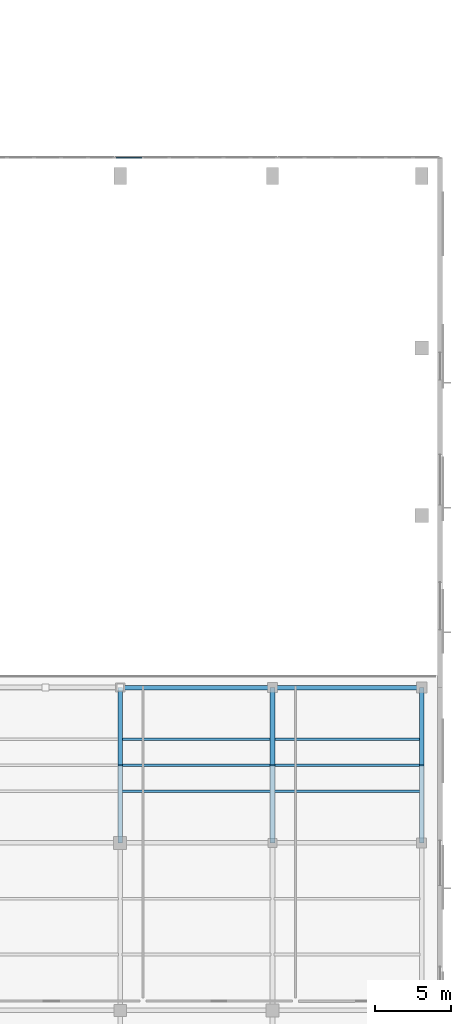
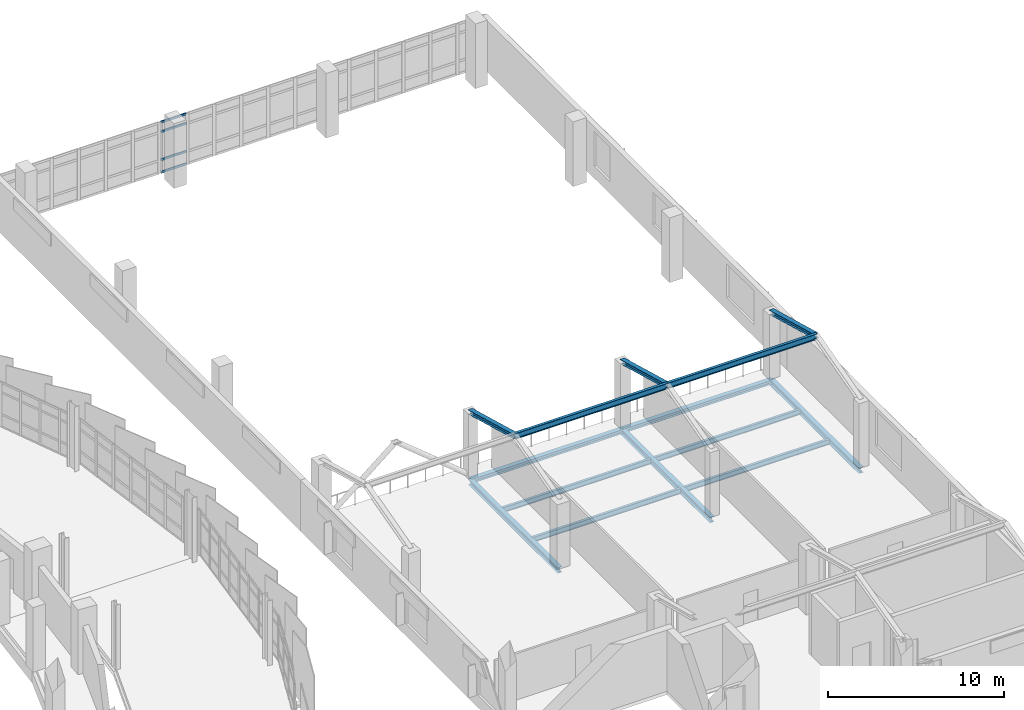
# One storey, part 74 of 120: 14 beams, 4 members, 1 element without a shape of its own.
"""IFC4 building model written with IfcOpenShell, lengths in metres."""

import ifcopenshell
import ifcopenshell.guid

model = None  # the IFC model being written
_history = None  # IfcOwnerHistory: only IFC2X3 demands one
_inside = {}  # id of a spatial element -> (the spatial element, [elements in it])
_under = {}  # id of a project, library or spatial element -> (it, [spatial elements below it])
_declared = {}  # id of a project -> (the project, [libraries it declares])
_typed = {}  # id of a type object -> (the type object, [elements of that type])
_made_of = {}  # id of a material, layer set ... -> (it, [elements and type objects made of it])


def new_model(schema):
    """Start an empty IFC model of exactly this schema.

    Asked for "IFC4X3", IfcOpenShell would pick the latest addendum, in which some entities
    have other attributes; the version numbers below select the first issue.
    IFC2X3 requires an IfcOwnerHistory on every rooted entity: one is made here for all.
    """
    global model, _history
    if schema == "IFC4X3":
        model = ifcopenshell.file(schema_version=(4, 3, 0, 0))
    else:
        model = ifcopenshell.file(schema=schema)
    _inside.clear()
    _under.clear()
    _declared.clear()
    _typed.clear()
    _made_of.clear()
    _history = None
    if model.schema == "IFC2X3":
        org = make("IfcOrganization", Name="unknown")
        user = make(
            "IfcPersonAndOrganization",
            ThePerson=make("IfcPerson", FamilyName="unknown"),
            TheOrganization=org,
        )
        app = make(
            "IfcApplication",
            ApplicationDeveloper=org,
            Version="unknown",
            ApplicationFullName="unknown",
            ApplicationIdentifier="unknown",
        )
        _history = make(
            "IfcOwnerHistory",
            OwningUser=user,
            OwningApplication=app,
            ChangeAction="ADDED",
            CreationDate=0,
        )
    return model


def make(cls, **values):
    """One entity of the class cls with the attributes given. An attribute that is None is left unset."""
    return model.create_entity(
        cls, **{name: value for name, value in values.items() if value is not None}
    )


def rooted(cls, **values):
    """An entity with a GlobalId (a new one), such as an element, a storey or a relation."""
    return make(cls, GlobalId=ifcopenshell.guid.new(), OwnerHistory=_history, **values)


def si_unit(unit_type, name, prefix=None):
    """IfcSIUnit, for example si_unit("LENGTHUNIT", "METRE", prefix="MILLI")."""
    return make("IfcSIUnit", UnitType=unit_type, Prefix=prefix, Name=name)


def assignment(units):
    """IfcUnitAssignment: the units of a project."""
    return None if units is None else make("IfcUnitAssignment", Units=units)


def point(xyz):
    """IfcCartesianPoint."""
    return None if xyz is None else make("IfcCartesianPoint", Coordinates=xyz)


def direction(xyz):
    """IfcDirection."""
    return None if xyz is None else make("IfcDirection", DirectionRatios=xyz)


def frame(location, z_axis=None, x_axis=None):
    """IfcAxis2Placement3D, a coordinate frame: its origin and axes. An axis left out is left unset."""
    return make(
        "IfcAxis2Placement3D",
        Location=point(location),
        Axis=direction(z_axis),
        RefDirection=direction(x_axis),
    )


def frame_2d(location, x_axis=None):
    """IfcAxis2Placement2D, a coordinate frame in the plane: its origin and x axis."""
    return make(
        "IfcAxis2Placement2D", Location=point(location), RefDirection=direction(x_axis)
    )


def origin():
    """The frame at (0, 0, 0) with its axes left unset."""
    return frame((0.0, 0.0, 0.0))


def origin_2d():
    """The frame at (0, 0) in the plane with its x axis left unset."""
    return frame_2d((0.0, 0.0))


def place(relative_to, where):
    """IfcLocalPlacement: puts the frame where relative to a parent placement (None: the world)."""
    return make(
        "IfcLocalPlacement", PlacementRelTo=relative_to, RelativePlacement=where
    )


def context(
    kind, dimensions, precision=None, world=None, true_north=None, identifier=None
):
    """IfcGeometricRepresentationContext, for example the 3D "Model" context."""
    return make(
        "IfcGeometricRepresentationContext",
        ContextIdentifier=identifier,
        ContextType=kind,
        CoordinateSpaceDimension=dimensions,
        Precision=precision,
        WorldCoordinateSystem=world,
        TrueNorth=true_north,
    )


def subcontext(parent, identifier, kind, view, scale=None):
    """IfcGeometricRepresentationSubContext, for example "Body" below "Model"."""
    return make(
        "IfcGeometricRepresentationSubContext",
        ContextIdentifier=identifier,
        ContextType=kind,
        ParentContext=parent,
        TargetScale=scale,
        TargetView=view,
    )


def project(units=None, contexts=None):
    """IfcProject with its units and contexts."""
    return rooted(
        "IfcProject",
        Name="project",
        RepresentationContexts=contexts,
        UnitsInContext=assignment(units),
    )


def spatial(cls, under=None, at=None, **own):
    """A site, building, storey or space (cls), placed at a placement, below another one or the project."""
    s = rooted(cls, ObjectPlacement=at, **own)
    if under is not None:
        _under.setdefault(under.id(), (under, []))[1].append(s)
    return s


def profile(cls, at=None, kind="AREA", **sizes):
    """A parametric profile (cls). Its sizes go by their IFC names, for example OverallWidth=200.0."""
    return make(cls, ProfileType=kind, Position=at, **sizes)


def rectangle(**sizes):
    """IfcRectangleProfileDef."""
    return profile("IfcRectangleProfileDef", **sizes)


def i_section(**sizes):
    """IfcIShapeProfileDef."""
    return profile("IfcIShapeProfileDef", **sizes)


def extrude(swept, where, along, depth):
    """IfcExtrudedAreaSolid: the profile swept, set in the frame where, extruded along a direction by depth."""
    return make(
        "IfcExtrudedAreaSolid",
        SweptArea=swept,
        Position=where,
        ExtrudedDirection=direction(along),
        Depth=depth,
    )


def shape(context_of_items, identifier, shape_type, items):
    """IfcShapeRepresentation: the items that make up one representation, for example the "Body"."""
    return make(
        "IfcShapeRepresentation",
        ContextOfItems=context_of_items,
        RepresentationIdentifier=identifier,
        RepresentationType=shape_type,
        Items=items,
    )


def material(Name=None, Category=None):
    """IfcMaterial."""
    return make("IfcMaterial", Name=Name, Category=Category)


def layer(
    of_material, thickness, ventilated=None, Name=None, Category=None, Priority=None
):
    """IfcMaterialLayer: one layer of a wall or slab, of a material (None: an air gap)."""
    return make(
        "IfcMaterialLayer",
        Material=of_material,
        LayerThickness=thickness,
        IsVentilated=ventilated,
        Name=Name,
        Category=Category,
        Priority=Priority,
    )


def layer_set(layers, Name=None):
    """IfcMaterialLayerSet."""
    return make("IfcMaterialLayerSet", MaterialLayers=layers, LayerSetName=Name)


def material_profile(
    of_material, cross_section, Name=None, Category=None, Priority=None
):
    """IfcMaterialProfile: a cross section and its material."""
    return make(
        "IfcMaterialProfile",
        Name=Name,
        Material=of_material,
        Profile=cross_section,
        Priority=Priority,
        Category=Category,
    )


def profile_set(profiles, Name=None, composite=None):
    """IfcMaterialProfileSet."""
    return make(
        "IfcMaterialProfileSet",
        Name=Name,
        MaterialProfiles=profiles,
        CompositeProfile=composite,
    )


def made_of(thing, what):
    """Note that an element or type object is made of a material, layer set ...; save() writes the relation."""
    if what is not None:
        _made_of.setdefault(what.id(), (what, []))[1].append(thing)
    return thing


def type_object(cls, material=None, **own):
    """A type object (cls), such as IfcWallType, which elements share."""
    return made_of(rooted(cls, **own), material)


def element(
    cls,
    number,
    at=None,
    inside=None,
    cuts=None,
    type_object=None,
    material=None,
    context=None,
    identifier="Body",
    shape_type=None,
    held_by="IfcProductDefinitionShape",
    body=None,
    shapes=None,
    **own,
):
    """One element of the class cls, such as IfcWall. Its Tag is "e" and its number.

    at: its placement. inside: the storey or other place that contains it. cuts: it is an
    opening in that element (IfcRelVoidsElement). A single representation is given by context,
    identifier, shape_type and body (its items); several are given by shapes. held_by: the class
    of the entity that holds the representations. save() writes the other relations.
    """
    e = rooted(cls, Tag="e%d" % number, ObjectPlacement=at, **own)
    if body is not None:
        shapes = [shape(context, identifier, shape_type, body)]
    if shapes is not None:
        e.Representation = make(held_by, Representations=shapes)
    if inside is not None:
        _inside.setdefault(inside.id(), (inside, []))[1].append(e)
    if cuts is not None:
        rooted(
            "IfcRelVoidsElement", RelatingBuildingElement=cuts, RelatedOpeningElement=e
        )
    if type_object is not None:
        _typed.setdefault(type_object.id(), (type_object, []))[1].append(e)
    return made_of(e, material)


def aggregate(whole, parts):
    """IfcRelAggregates: a whole, such as a stair, and the parts it consists of."""
    return rooted("IfcRelAggregates", RelatingObject=whole, RelatedObjects=parts)


def save(model, path):
    """Write the relations noted so far, then the file.

    IfcRelAggregates (storeys below a building ...), IfcRelContainedInSpatialStructure (elements
    in a storey), IfcRelDefinesByType, IfcRelAssociatesMaterial and IfcRelDeclares: one each for
    every whole, place, type object, material and project.
    """
    for whole, parts in _under.values():
        aggregate(whole, parts)
    for where, things in _inside.values():
        rooted(
            "IfcRelContainedInSpatialStructure",
            RelatedElements=things,
            RelatingStructure=where,
        )
    for kind, things in _typed.values():
        rooted("IfcRelDefinesByType", RelatedObjects=things, RelatingType=kind)
    for what, things in _made_of.values():
        rooted("IfcRelAssociatesMaterial", RelatedObjects=things, RelatingMaterial=what)
    for by, libraries in _declared.values():
        rooted("IfcRelDeclares", RelatingContext=by, RelatedDefinitions=libraries)
    model.write(path)


model = new_model("IFC4")

# Units and contexts
model_context = context("Model", 3, precision=1e-05, world=origin(), true_north=direction((0.0, 1.0)))
body_context = subcontext(model_context, "Body", "Model", "MODEL_VIEW")
ifc_project = project(units=[si_unit("LENGTHUNIT", "METRE"), si_unit("AREAUNIT", "SQUARE_METRE"), si_unit("VOLUMEUNIT", "CUBIC_METRE"), si_unit("PLANEANGLEUNIT", "RADIAN"), si_unit("MASSUNIT", "GRAM", prefix="KILO")], contexts=[model_context])

# Site, building, storey
site_placement = place(None, origin())
site = spatial("IfcSite", under=ifc_project, at=site_placement, CompositionType="ELEMENT")
building_placement = place(site_placement, origin())
building = spatial("IfcBuilding", under=site, at=building_placement, Name="Sohan Crest Arena", CompositionType="ELEMENT")
storey_placement = place(building_placement, frame((0.0, 0.0, 13.5)))
storey = spatial("IfcBuildingStorey", under=building, at=storey_placement, Name="L03", CompositionType="ELEMENT", Elevation=13.5)

# Curtain wall, members
ifc_material_1 = material(Name="Thermally broken anodised aluminium", Category="aluminium")
ifc_layer = layer(ifc_material_1, 0.2099609375, Name="Thermally broken anodised aluminium")
ifc_layer_set = layer_set([ifc_layer], Name="Thermally broken anodised aluminium")
curtain_wall_type = type_object("IfcCurtainWallType", Name="ARC-CW06", PredefinedType="NOTDEFINED", material=ifc_layer_set)
curtain_wall_placement = place(storey_placement, origin())
curtain_wall = element("IfcCurtainWall", 1, at=curtain_wall_placement, inside=storey, type_object=curtain_wall_type, Name="Unitised curtain wall CW-221", PredefinedType="NOTDEFINED")
ifc_material_profile_1 = material_profile(ifc_material_1, rectangle(XDim=0.070068359375, YDim=0.14990234375, at=origin_2d()), Name="ALU-TRAN 70x150")
ifc_profile_set_1 = profile_set([ifc_material_profile_1], Name="Thermally broken anodised aluminium")
member_type = type_object("IfcMemberType", Name="ARC-CW-TR03", PredefinedType="USERDEFINED", material=ifc_profile_set_1)
member_1_placement = place(storey_placement, frame((207.4072265625, 112.0, 0.034912109375), z_axis=(-1.0, 0.0, 0.0), x_axis=(0.0, -1.0, 0.0)))
member_1 = element("IfcMember", 2, at=member_1_placement, type_object=member_type, Name="CW-221 transom 6.1", ObjectType="TRANSOM", PredefinedType="USERDEFINED", context=body_context, shape_type="SweptSolid", body=[
    extrude(rectangle(XDim=0.070068359375, YDim=0.14990234375, at=origin_2d()), origin(), (0.0, 0.0, 1.0), 1.665283203125),
])
member_2_placement = place(storey_placement, frame((207.4072265625, 112.0, 0.89990234375), z_axis=(-1.0, 0.0, 0.0), x_axis=(0.0, -1.0, 0.0)))
member_2 = element("IfcMember", 3, at=member_2_placement, type_object=member_type, Name="CW-221 transom 6.2", ObjectType="TRANSOM", PredefinedType="USERDEFINED", context=body_context, shape_type="SweptSolid", body=[
    extrude(rectangle(XDim=0.070068359375, YDim=0.14990234375, at=origin_2d()), origin(), (0.0, 0.0, 1.0), 1.665283203125),
])
member_3_placement = place(storey_placement, frame((207.4072265625, 112.0, 2.85009765625), z_axis=(-1.0, 0.0, 0.0), x_axis=(0.0, -1.0, 0.0)))
member_3 = element("IfcMember", 4, at=member_3_placement, type_object=member_type, Name="CW-221 transom 6.3", ObjectType="TRANSOM", PredefinedType="USERDEFINED", context=body_context, shape_type="SweptSolid", body=[
    extrude(rectangle(XDim=0.070068359375, YDim=0.14990234375, at=origin_2d()), origin(), (0.0, 0.0, 1.0), 1.665283203125),
])
member_4_placement = place(storey_placement, frame((207.4072265625, 112.0, 3.514892578125), z_axis=(-1.0, 0.0, 0.0), x_axis=(0.0, -1.0, 0.0)))
member_4 = element("IfcMember", 5, at=member_4_placement, type_object=member_type, Name="CW-221 transom 6.4", ObjectType="TRANSOM", PredefinedType="USERDEFINED", context=body_context, shape_type="SweptSolid", body=[
    extrude(rectangle(XDim=0.070068359375, YDim=0.14990234375, at=origin_2d()), origin(), (0.0, 0.0, 1.0), 1.665283203125),
])
aggregate(curtain_wall, [member_1, member_2, member_3, member_4])

# Beams
ifc_material_2 = material(Name="Steel S355", Category="steel")
ifc_material_profile_2 = material_profile(ifc_material_2, i_section(OverallWidth=0.169921875, OverallDepth=0.360107421875, WebThickness=0.008056640625, FlangeThickness=0.0126953125, at=origin_2d()), Name="IPE 360")
ifc_profile_set_2 = profile_set([ifc_material_profile_2], Name="Steel S355")
beam_type_1 = type_object("IfcBeamType", Name="STR-BM-B02", PredefinedType="JOIST", material=ifc_profile_set_2)
for number, where, z_axis, x_axis, name in (
    (6, (206.110107421875, 70.39990234375, -0.409912109375), (1.0, 0.0, 0.0), (0.0, 1.0, 0.0), "Structural beam J-L03-2376"),
    (7, (206.110107421875, 73.800048828125, -0.409912109375), (1.0, 0.0, 0.0), (0.0, 1.0, 0.0), "Structural beam J-L03-2377"),
):
    element("IfcBeam", number, at=place(storey_placement, frame(where, z_axis=z_axis, x_axis=x_axis)), inside=storey, type_object=beam_type_1, Name=name, PredefinedType="JOIST", context=body_context, shape_type="SweptSolid", body=[
        extrude(i_section(OverallWidth=0.169921875, OverallDepth=0.360107421875, WebThickness=0.008056640625, FlangeThickness=0.0126953125, at=origin_2d()), origin(), (0.0, 0.0, 1.0), 9.77978515625),
    ])
for number, where, z_axis, x_axis, name in (
    (8, (216.110107421875, 70.39990234375, -0.409912109375), (1.0, 0.0, 0.0), (0.0, 1.0, 0.0), "Structural beam J-L03-2379"),
    (9, (216.110107421875, 73.800048828125, -0.409912109375), (1.0, 0.0, 0.0), (0.0, 1.0, 0.0), "Structural beam J-L03-2380"),
):
    element("IfcBeam", number, at=place(storey_placement, frame(where, z_axis=z_axis, x_axis=x_axis)), inside=storey, type_object=beam_type_1, Name=name, PredefinedType="JOIST", context=body_context, shape_type="SweptSolid", body=[
        extrude(i_section(OverallWidth=0.169921875, OverallDepth=0.360107421875, WebThickness=0.008056640625, FlangeThickness=0.0126953125, at=origin_2d()), origin(), (0.0, 0.0, 1.0), 9.579833984375),
    ])
ifc_material_profile_3 = material_profile(ifc_material_2, i_section(OverallWidth=0.179931640625, OverallDepth=0.39990234375, WebThickness=0.008544921875, FlangeThickness=0.013427734375, at=origin_2d()), Name="IPE 400")
ifc_profile_set_3 = profile_set([ifc_material_profile_3], Name="Steel S355")
beam_type_2 = type_object("IfcBeamType", Name="STR-BM-B03", PredefinedType="JOIST", material=ifc_profile_set_3)
beam_1_placement = place(storey_placement, frame((206.0, 72.10009765625, 5.820068359375), z_axis=(1.0, 0.0, 0.0), x_axis=(0.0, 1.0, 0.0)))
element("IfcBeam", 10, at=beam_1_placement, inside=storey, type_object=beam_type_2, Name="Structural beam SVP-L03-3193", PredefinedType="JOIST", context=body_context, shape_type="SweptSolid", body=[
    extrude(i_section(OverallWidth=0.179931640625, OverallDepth=0.39990234375, WebThickness=0.008544921875, FlangeThickness=0.013427734375, at=origin_2d()), origin(), (0.0, 0.0, 1.0), 10.0),
])
beam_2_placement = place(storey_placement, frame((216.0, 72.10009765625, 5.820068359375), z_axis=(1.0, 0.0, 0.0), x_axis=(0.0, 1.0, 0.0)))
element("IfcBeam", 11, at=beam_2_placement, inside=storey, type_object=beam_type_2, Name="Structural beam SVP-L03-3194", PredefinedType="JOIST", context=body_context, shape_type="SweptSolid", body=[
    extrude(i_section(OverallWidth=0.179931640625, OverallDepth=0.39990234375, WebThickness=0.008544921875, FlangeThickness=0.013427734375, at=origin_2d()), origin(), (0.0, 0.0, 1.0), 9.800048828125),
])
ifc_material_profile_4 = material_profile(ifc_material_2, i_section(OverallWidth=0.300048828125, OverallDepth=0.2900390625, WebThickness=0.008544921875, FlangeThickness=0.013916015625, at=origin_2d()), Name="HEA 300")
ifc_profile_set_4 = profile_set([ifc_material_profile_4], Name="Steel S355")
beam_type_3 = type_object("IfcBeamType", Name="STR-BM-B08", PredefinedType="BEAM", material=ifc_profile_set_4)
beam_3_placement = place(storey_placement, frame((206.0, 77.199951171875, -0.375), z_axis=(1.0, 0.0, 0.0), x_axis=(0.0, 1.0, 0.0)))
element("IfcBeam", 12, at=beam_3_placement, inside=storey, type_object=beam_type_3, Name="Structural beam G-L03-2382", PredefinedType="BEAM", context=body_context, shape_type="SweptSolid", body=[
    extrude(i_section(OverallWidth=0.300048828125, OverallDepth=0.2900390625, WebThickness=0.008544921875, FlangeThickness=0.013916015625, at=origin_2d()), origin(), (0.0, 0.0, 1.0), 10.0),
])
beam_4_placement = place(storey_placement, frame((216.0, 77.199951171875, -0.375), z_axis=(1.0, 0.0, 0.0), x_axis=(0.0, 1.0, 0.0)))
element("IfcBeam", 13, at=beam_4_placement, inside=storey, type_object=beam_type_3, Name="Structural beam G-L03-2383", PredefinedType="BEAM", context=body_context, shape_type="SweptSolid", body=[
    extrude(i_section(OverallWidth=0.300048828125, OverallDepth=0.2900390625, WebThickness=0.008544921875, FlangeThickness=0.013916015625, at=origin_2d()), origin(), (0.0, 0.0, 1.0), 9.800048828125),
])
for number, where, z_axis, x_axis, name in (
    (14, (206.0, 72.10009765625, 5.820068359375), (0.0, 0.964317135748, -0.264749809637), (-1.0, 0.0, 0.0), "Structural beam SVA-L03-3187"),
    (15, (216.0, 72.10009765625, 5.820068359375), (0.0, 0.964317135748, -0.264749809637), (-1.0, 0.0, 0.0), "Structural beam SVA-L03-3189"),
    (16, (225.800048828125, 72.10009765625, 5.820068359375), (0.0, 0.964317135748, -0.264749809637), (-1.0, 0.0, 0.0), "Structural beam SVA-L03-3191"),
):
    element("IfcBeam", number, at=place(storey_placement, frame(where, z_axis=z_axis, x_axis=x_axis)), inside=storey, type_object=beam_type_3, Name=name, PredefinedType="BEAM", context=body_context, shape_type="SweptSolid", body=[
        extrude(i_section(OverallWidth=0.300048828125, OverallDepth=0.2900390625, WebThickness=0.008544921875, FlangeThickness=0.013916015625, at=origin_2d()), origin(), (0.0, 0.0, 1.0), 5.28857421875),
    ])
ifc_material_profile_5 = material_profile(ifc_material_2, i_section(OverallWidth=0.300048828125, OverallDepth=0.389892578125, WebThickness=0.010986328125, FlangeThickness=0.01904296875, at=origin_2d()), Name="HEA 400")
ifc_profile_set_5 = profile_set([ifc_material_profile_5], Name="Steel S355")
beam_type_4 = type_object("IfcBeamType", Name="STR-BM-B09", PredefinedType="BEAM", material=ifc_profile_set_5)
for number, where, z_axis, x_axis, name in (
    (17, (206.0, 67.0, -0.425048828125), (0.0, 1.0, 0.0), (-1.0, 0.0, 0.0), "Structural beam G-L03-2350"),
    (18, (216.0, 67.0, -0.425048828125), (0.0, 1.0, 0.0), (-1.0, 0.0, 0.0), "Structural beam G-L03-2353"),
    (19, (225.800048828125, 67.0, -0.425048828125), (0.0, 1.0, 0.0), (-1.0, 0.0, 0.0), "Structural beam G-L03-2357"),
):
    element("IfcBeam", number, at=place(storey_placement, frame(where, z_axis=z_axis, x_axis=x_axis)), inside=storey, type_object=beam_type_4, Name=name, PredefinedType="BEAM", context=body_context, shape_type="SweptSolid", body=[
        extrude(i_section(OverallWidth=0.300048828125, OverallDepth=0.389892578125, WebThickness=0.010986328125, FlangeThickness=0.01904296875, at=origin_2d()), origin(), (0.0, 0.0, 1.0), 10.199951171875),
    ])

save(model, "model.ifc")
